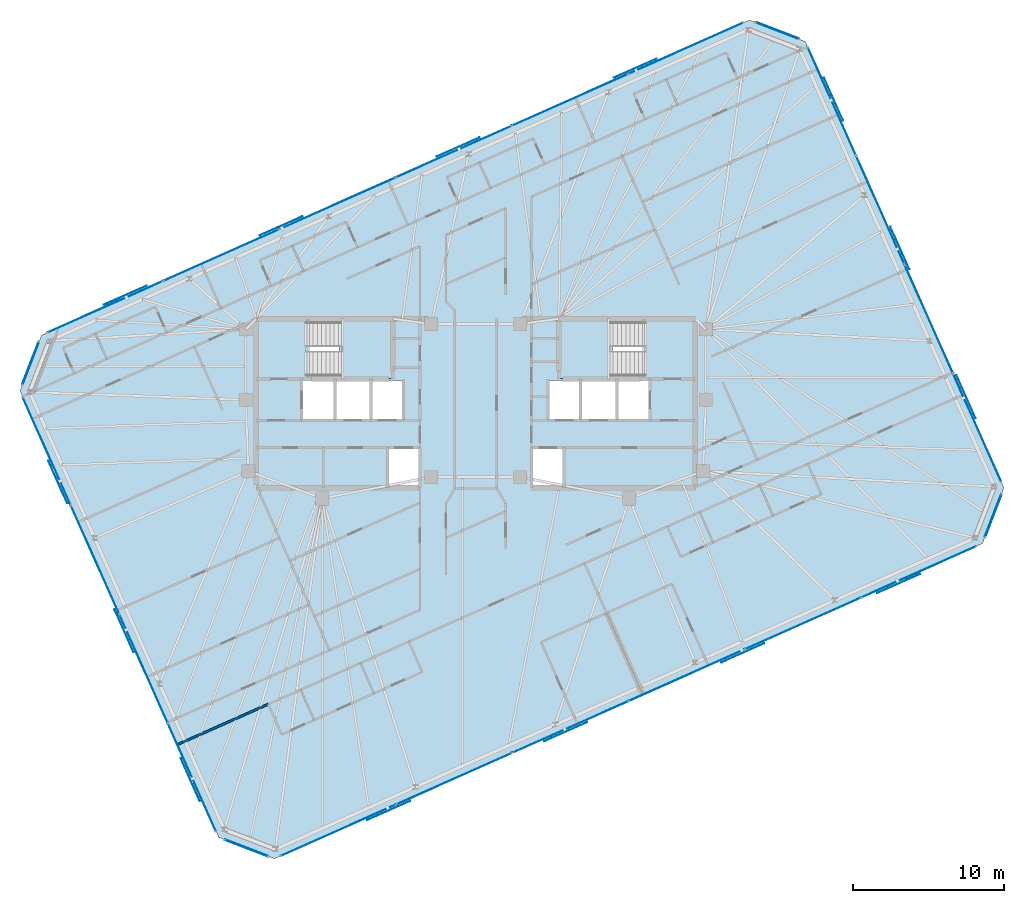
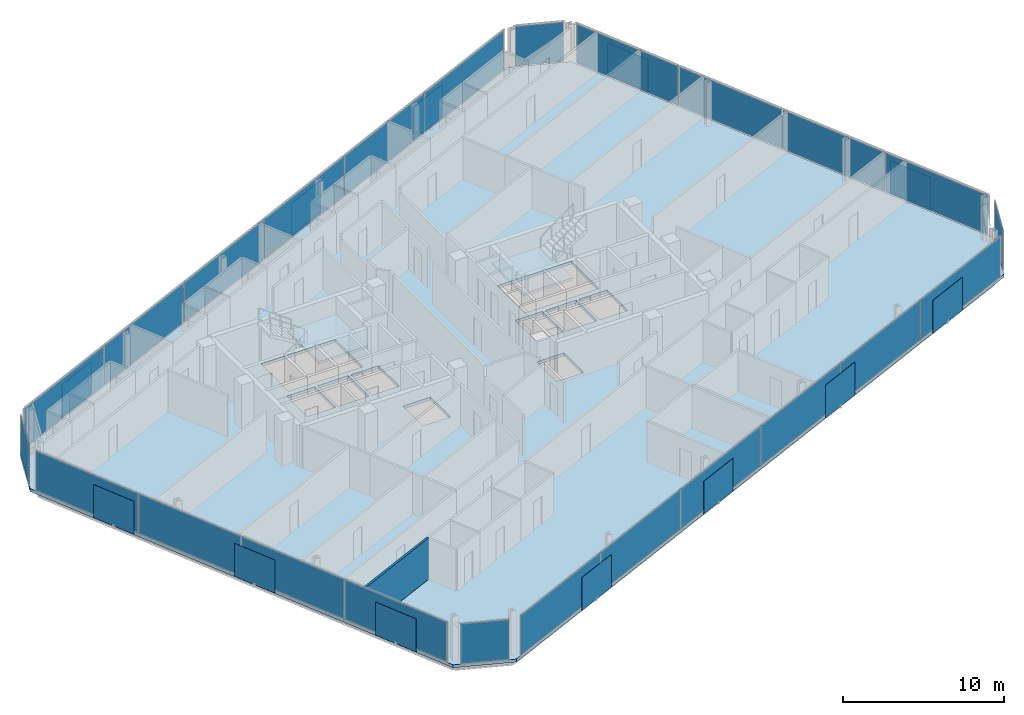
# One storey, part 12 of 19: 38 plates, 3 slabs, 1 wall, 10 elements without a shape of their own.
"""IFC4 building model written with IfcOpenShell, lengths in metres."""

from ifc_helpers import new_model, si_unit, direction, frame, frame_2d, origin, origin_2d, place, context, subcontext, project, spatial, polyline, rectangle, outline, extrude, material, layer, layer_set, type_object, element, aggregate, save


model = new_model("IFC4")

# Units and contexts
model_context = context("Model", 3, precision=1e-05, world=origin(), true_north=direction((0.0, 1.0)))
body_context = subcontext(model_context, "Body", "Model", "MODEL_VIEW")
ifc_project = project(units=[si_unit("LENGTHUNIT", "METRE"), si_unit("AREAUNIT", "SQUARE_METRE"), si_unit("VOLUMEUNIT", "CUBIC_METRE"), si_unit("PLANEANGLEUNIT", "RADIAN"), si_unit("MASSUNIT", "GRAM", prefix="KILO")], contexts=[model_context])

# Site, building, storey
site_placement = place(None, origin())
site = spatial("IfcSite", under=ifc_project, at=site_placement, CompositionType="ELEMENT")
building_placement = place(site_placement, origin())
building = spatial("IfcBuilding", under=site, at=building_placement, Name="Menara Jurai Vektor", CompositionType="ELEMENT")
storey_placement = place(building_placement, frame((0.0, 0.0, 265.550048828125)))
storey = spatial("IfcBuildingStorey", under=building, at=storey_placement, Name="L71", CompositionType="ELEMENT", Elevation=265.550048828125)

# Curtain wall, plates
ifc_material_1 = material(Name="Anodised Pale Aluminium & Low-E Double Glazing", Category="aluminium")
curtain_wall_type = type_object("IfcCurtainWallType", Name="CW-BLK5", PredefinedType="NOTDEFINED", material=ifc_material_1)
curtain_wall_1_placement = place(storey_placement, origin())
curtain_wall_1 = element("IfcCurtainWall", 1, at=curtain_wall_1_placement, inside=storey, type_object=curtain_wall_type, Name="Unitised Curtain Wall L71 F01", PredefinedType="NOTDEFINED")
ifc_material_2 = material(Name="Low-E Solar-Control Double Glazed Unit", Category="glass")
ifc_layer_1 = layer(ifc_material_2, 0.028076171875)
ifc_layer_set_1 = layer_set([ifc_layer_1], Name="Low-E Solar-Control Double Glazed Unit")
plate_type_1 = type_object("IfcPlateType", Name="CW-BLK5-PNL", PredefinedType="CURTAIN_PANEL", material=ifc_layer_set_1)
plate_1_placement = place(storey_placement, frame((-9.130615234375, -28.331787109375, 0.074951171875), z_axis=(0.0, 0.0, 1.0), x_axis=(0.913545967158, 0.406735498684, 0.0)))
plate_1 = element("IfcPlate", 2, at=plate_1_placement, type_object=plate_type_1, Name="CW-05 panel 1.1", PredefinedType="CURTAIN_PANEL", context=body_context, shape_type="SweptSolid", body=[
    extrude(rectangle(XDim=8.327392578125, YDim=0.028076171875, at=origin_2d()), origin(), (0.0, 0.0, 1.0), 2.97509765625),
])
plate_2_placement = place(storey_placement, frame((-1.4375, -24.90673828125, 0.074951171875), z_axis=(0.0, 0.0, 1.0), x_axis=(0.913545967158, 0.406735498684, 0.0)))
plate_2 = element("IfcPlate", 3, at=plate_2_placement, type_object=plate_type_1, Name="CW-05 panel 2.1", PredefinedType="CURTAIN_PANEL", context=body_context, shape_type="SweptSolid", body=[
    extrude(rectangle(XDim=8.364990234375, YDim=0.028076171875, at=origin_2d()), origin(), (0.0, 0.0, 1.0), 2.97509765625),
])
plate_3_placement = place(storey_placement, frame((6.27294921875, -21.473876953125, 0.074951171875), z_axis=(0.0, 0.0, 1.0), x_axis=(0.913545967158, 0.406735498684, 0.0)))
plate_3 = element("IfcPlate", 4, at=plate_3_placement, type_object=plate_type_1, Name="CW-05 panel 3.1", PredefinedType="CURTAIN_PANEL", context=body_context, shape_type="SweptSolid", body=[
    extrude(rectangle(XDim=8.364990234375, YDim=0.028076171875, at=origin_2d()), origin(), (0.0, 0.0, 1.0), 2.97509765625),
])
plate_4_placement = place(storey_placement, frame((13.983154296875, -18.041015625, 0.074951171875), z_axis=(0.0, 0.0, 1.0), x_axis=(0.913545967158, 0.406735498684, 0.0)))
plate_4 = element("IfcPlate", 5, at=plate_4_placement, type_object=plate_type_1, Name="CW-05 panel 4.1", PredefinedType="CURTAIN_PANEL", context=body_context, shape_type="SweptSolid", body=[
    extrude(rectangle(XDim=8.364990234375, YDim=0.028076171875, at=origin_2d()), origin(), (0.0, 0.0, 1.0), 2.97509765625),
])
plate_5_placement = place(storey_placement, frame((21.693603515625, -14.608154296875, 0.074951171875), z_axis=(0.0, 0.0, 1.0), x_axis=(0.913545967158, 0.406735498684, 0.0)))
plate_5 = element("IfcPlate", 6, at=plate_5_placement, type_object=plate_type_1, Name="CW-05 panel 5.1", PredefinedType="CURTAIN_PANEL", context=body_context, shape_type="SweptSolid", body=[
    extrude(rectangle(XDim=8.364990234375, YDim=0.028076171875, at=origin_2d()), origin(), (0.0, 0.0, 1.0), 2.97509765625),
])
plate_6_placement = place(storey_placement, frame((29.38671875, -11.182861328125, 0.074951171875), z_axis=(0.0, 0.0, 1.0), x_axis=(0.913545967158, 0.406735498684, 0.0)))
plate_6 = element("IfcPlate", 7, at=plate_6_placement, type_object=plate_type_1, Name="CW-05 panel 6.1", PredefinedType="CURTAIN_PANEL", context=body_context, shape_type="SweptSolid", body=[
    extrude(rectangle(XDim=8.327392578125, YDim=0.028076171875, at=origin_2d()), origin(), (0.0, 0.0, 1.0), 2.97509765625),
])
aggregate(curtain_wall_1, [plate_1, plate_2, plate_3, plate_4, plate_5, plate_6])

curtain_wall_2_placement = place(storey_placement, origin())
curtain_wall_2 = element("IfcCurtainWall", 8, at=curtain_wall_2_placement, inside=storey, type_object=curtain_wall_type, Name="Unitised Curtain Wall L71 F03", PredefinedType="NOTDEFINED")
plate_7_placement = place(storey_placement, frame((33.25439453125, -1.630126953125, 0.074951171875), z_axis=(0.0, 0.0, 1.0), x_axis=(-0.406735138086, 0.913546127706, 0.0)))
plate_7 = element("IfcPlate", 9, at=plate_7_placement, type_object=plate_type_1, Name="CW-05 panel 1.1", PredefinedType="CURTAIN_PANEL", context=body_context, shape_type="SweptSolid", body=[
    extrude(rectangle(XDim=7.797607421875, YDim=0.028076171875, at=origin_2d()), origin(), (0.0, 0.0, 1.0), 2.97509765625),
])
plate_8_placement = place(storey_placement, frame((30.044677734375, 5.578857421875, 0.074951171875), z_axis=(0.0, 0.0, 1.0), x_axis=(-0.406735138086, 0.913546127706, 0.0)))
plate_8 = element("IfcPlate", 10, at=plate_8_placement, type_object=plate_type_1, Name="CW-05 panel 2.1", PredefinedType="CURTAIN_PANEL", context=body_context, shape_type="SweptSolid", body=[
    extrude(rectangle(XDim=7.8349609375, YDim=0.028076171875, at=origin_2d()), origin(), (0.0, 0.0, 1.0), 2.97509765625),
])
plate_9_placement = place(storey_placement, frame((26.827392578125, 12.80517578125, 0.074951171875), z_axis=(0.0, 0.0, 1.0), x_axis=(-0.406735138086, 0.913546127706, 0.0)))
plate_9 = element("IfcPlate", 11, at=plate_9_placement, type_object=plate_type_1, Name="CW-05 panel 3.1", PredefinedType="CURTAIN_PANEL", context=body_context, shape_type="SweptSolid", body=[
    extrude(rectangle(XDim=7.8349609375, YDim=0.028076171875, at=origin_2d()), origin(), (0.0, 0.0, 1.0), 2.97509765625),
])
plate_10_placement = place(storey_placement, frame((23.61767578125, 20.01416015625, 0.074951171875), z_axis=(0.0, 0.0, 1.0), x_axis=(-0.406735138086, 0.913546127706, 0.0)))
plate_10 = element("IfcPlate", 12, at=plate_10_placement, type_object=plate_type_1, Name="CW-05 panel 4.1", PredefinedType="CURTAIN_PANEL", context=body_context, shape_type="SweptSolid", body=[
    extrude(rectangle(XDim=7.797607421875, YDim=0.028076171875, at=origin_2d()), origin(), (0.0, 0.0, 1.0), 2.97509765625),
])
aggregate(curtain_wall_2, [plate_7, plate_8, plate_9, plate_10])

curtain_wall_3_placement = place(storey_placement, origin())
curtain_wall_3 = element("IfcCurtainWall", 13, at=curtain_wall_3_placement, inside=storey, type_object=curtain_wall_type, Name="Unitised Curtain Wall L71 F05", PredefinedType="NOTDEFINED")
plate_11_placement = place(storey_placement, frame((13.9306640625, 23.53173828125, 0.074951171875), z_axis=(0.0, 0.0, 1.0), x_axis=(-0.913545967158, -0.406735498684, 0.0)))
plate_11 = element("IfcPlate", 14, at=plate_11_placement, type_object=plate_type_1, Name="CW-05 panel 1.1", PredefinedType="CURTAIN_PANEL", context=body_context, shape_type="SweptSolid", body=[
    extrude(rectangle(XDim=8.327392578125, YDim=0.028076171875, at=origin_2d()), origin(), (0.0, 0.0, 1.0), 2.97509765625),
])
plate_12_placement = place(storey_placement, frame((6.237548828125, 20.106689453125, 0.074951171875), z_axis=(0.0, 0.0, 1.0), x_axis=(-0.913545967158, -0.406735498684, 0.0)))
plate_12 = element("IfcPlate", 15, at=plate_12_placement, type_object=plate_type_1, Name="CW-05 panel 2.1", PredefinedType="CURTAIN_PANEL", context=body_context, shape_type="SweptSolid", body=[
    extrude(rectangle(XDim=8.364990234375, YDim=0.028076171875, at=origin_2d()), origin(), (0.0, 0.0, 1.0), 2.97509765625),
])
plate_13_placement = place(storey_placement, frame((-1.472900390625, 16.673828125, 0.074951171875), z_axis=(0.0, 0.0, 1.0), x_axis=(-0.913545967158, -0.406735498684, 0.0)))
plate_13 = element("IfcPlate", 16, at=plate_13_placement, type_object=plate_type_1, Name="CW-05 panel 3.1", PredefinedType="CURTAIN_PANEL", context=body_context, shape_type="SweptSolid", body=[
    extrude(rectangle(XDim=8.364990234375, YDim=0.028076171875, at=origin_2d()), origin(), (0.0, 0.0, 1.0), 2.97509765625),
])
plate_14_placement = place(storey_placement, frame((-9.18310546875, 13.240966796875, 0.074951171875), z_axis=(0.0, 0.0, 1.0), x_axis=(-0.913545967158, -0.406735498684, 0.0)))
plate_14 = element("IfcPlate", 17, at=plate_14_placement, type_object=plate_type_1, Name="CW-05 panel 4.1", PredefinedType="CURTAIN_PANEL", context=body_context, shape_type="SweptSolid", body=[
    extrude(rectangle(XDim=8.364990234375, YDim=0.028076171875, at=origin_2d()), origin(), (0.0, 0.0, 1.0), 2.97509765625),
])
plate_15_placement = place(storey_placement, frame((-16.8935546875, 9.80810546875, 0.074951171875), z_axis=(0.0, 0.0, 1.0), x_axis=(-0.913545967158, -0.406735498684, 0.0)))
plate_15 = element("IfcPlate", 18, at=plate_15_placement, type_object=plate_type_1, Name="CW-05 panel 5.1", PredefinedType="CURTAIN_PANEL", context=body_context, shape_type="SweptSolid", body=[
    extrude(rectangle(XDim=8.364990234375, YDim=0.028076171875, at=origin_2d()), origin(), (0.0, 0.0, 1.0), 2.97509765625),
])
plate_16_placement = place(storey_placement, frame((-24.586669921875, 6.3828125, 0.074951171875), z_axis=(0.0, 0.0, 1.0), x_axis=(-0.913545967158, -0.406735498684, 0.0)))
plate_16 = element("IfcPlate", 19, at=plate_16_placement, type_object=plate_type_1, Name="CW-05 panel 6.1", PredefinedType="CURTAIN_PANEL", context=body_context, shape_type="SweptSolid", body=[
    extrude(rectangle(XDim=8.327392578125, YDim=0.028076171875, at=origin_2d()), origin(), (0.0, 0.0, 1.0), 2.97509765625),
])
aggregate(curtain_wall_3, [plate_11, plate_12, plate_13, plate_14, plate_15, plate_16])

curtain_wall_4_placement = place(storey_placement, origin())
curtain_wall_4 = element("IfcCurtainWall", 20, at=curtain_wall_4_placement, inside=storey, type_object=curtain_wall_type, Name="Unitised Curtain Wall L71 F07", PredefinedType="NOTDEFINED")
plate_17_placement = place(storey_placement, frame((-28.454345703125, -3.169921875, 0.074951171875), z_axis=(0.0, 0.0, 1.0), x_axis=(0.406735138086, -0.913546127706, 0.0)))
plate_17 = element("IfcPlate", 21, at=plate_17_placement, type_object=plate_type_1, Name="CW-05 panel 1.1", PredefinedType="CURTAIN_PANEL", context=body_context, shape_type="SweptSolid", body=[
    extrude(rectangle(XDim=7.797607421875, YDim=0.028076171875, at=origin_2d()), origin(), (0.0, 0.0, 1.0), 2.97509765625),
])
plate_18_placement = place(storey_placement, frame((-25.24462890625, -10.37890625, 0.074951171875), z_axis=(0.0, 0.0, 1.0), x_axis=(0.406735138086, -0.913546127706, 0.0)))
plate_18 = element("IfcPlate", 22, at=plate_18_placement, type_object=plate_type_1, Name="CW-05 panel 2.1", PredefinedType="CURTAIN_PANEL", context=body_context, shape_type="SweptSolid", body=[
    extrude(rectangle(XDim=7.8349609375, YDim=0.028076171875, at=origin_2d()), origin(), (0.0, 0.0, 1.0), 2.97509765625),
])
plate_19_placement = place(storey_placement, frame((-22.02734375, -17.60498046875, 0.074951171875), z_axis=(0.0, 0.0, 1.0), x_axis=(0.406735138086, -0.913546127706, 0.0)))
plate_19 = element("IfcPlate", 23, at=plate_19_placement, type_object=plate_type_1, Name="CW-05 panel 3.1", PredefinedType="CURTAIN_PANEL", context=body_context, shape_type="SweptSolid", body=[
    extrude(rectangle(XDim=7.8349609375, YDim=0.028076171875, at=origin_2d()), origin(), (0.0, 0.0, 1.0), 2.97509765625),
])
plate_20_placement = place(storey_placement, frame((-18.81787109375, -24.814208984375, 0.074951171875), z_axis=(0.0, 0.0, 1.0), x_axis=(0.406735138086, -0.913546127706, 0.0)))
plate_20 = element("IfcPlate", 24, at=plate_20_placement, type_object=plate_type_1, Name="CW-05 panel 4.1", PredefinedType="CURTAIN_PANEL", context=body_context, shape_type="SweptSolid", body=[
    extrude(rectangle(XDim=7.797607421875, YDim=0.028076171875, at=origin_2d()), origin(), (0.0, 0.0, 1.0), 2.97509765625),
])
aggregate(curtain_wall_4, [plate_17, plate_18, plate_19, plate_20])

# Curtain wall, plate
curtain_wall_5_placement = place(storey_placement, origin())
curtain_wall_5 = element("IfcCurtainWall", 25, at=curtain_wall_5_placement, inside=storey, type_object=curtain_wall_type, Name="Unitised Curtain Wall L71 F02", PredefinedType="NOTDEFINED")
ifc_material_3 = material(Name="Insulated Pale Aluminium Spandrel Panel", Category="aluminium")
ifc_layer_2 = layer(ifc_material_3, 0.06005859375)
ifc_layer_set_2 = layer_set([ifc_layer_2], Name="Insulated Pale Aluminium Spandrel Panel")
plate_type_2 = type_object("IfcPlateType", Name="CW-PNL-SP", PredefinedType="CURTAIN_PANEL", material=ifc_layer_set_2)
plate_21_placement = place(storey_placement, frame((34.315673828125, -7.455810546875, 0.074951171875), z_axis=(0.0, 0.0, 1.0), x_axis=(0.358373766287, 0.933578193639, 0.0)))
plate_21 = element("IfcPlate", 26, at=plate_21_placement, type_object=plate_type_2, Name="CW-05 panel 1.1", PredefinedType="CURTAIN_PANEL", context=body_context, shape_type="SweptSolid", body=[
    extrude(rectangle(XDim=3.0498046875, YDim=0.06005859375, at=origin_2d()), origin(), (0.0, 0.0, 1.0), 2.97509765625),
])
aggregate(curtain_wall_5, [plate_21])

curtain_wall_6_placement = place(storey_placement, origin())
curtain_wall_6 = element("IfcCurtainWall", 27, at=curtain_wall_6_placement, inside=storey, type_object=curtain_wall_type, Name="Unitised Curtain Wall L71 F04", PredefinedType="NOTDEFINED")
plate_22_placement = place(storey_placement, frame((19.99853515625, 24.700927734375, 0.074951171875), z_axis=(0.0, 0.0, 1.0), x_axis=(-0.933578193639, 0.358373766287, 0.0)))
plate_22 = element("IfcPlate", 28, at=plate_22_placement, type_object=plate_type_2, Name="CW-05 panel 1.1", PredefinedType="CURTAIN_PANEL", context=body_context, shape_type="SweptSolid", body=[
    extrude(rectangle(XDim=3.0498046875, YDim=0.06005859375, at=origin_2d()), origin(), (0.0, 0.0, 1.0), 2.97509765625),
])
aggregate(curtain_wall_6, [plate_22])

curtain_wall_7_placement = place(storey_placement, origin())
curtain_wall_7 = element("IfcCurtainWall", 29, at=curtain_wall_7_placement, inside=storey, type_object=curtain_wall_type, Name="Unitised Curtain Wall L71 F06", PredefinedType="NOTDEFINED")
plate_23_placement = place(storey_placement, frame((-29.515625, 2.65576171875, 0.074951171875), z_axis=(0.0, 0.0, 1.0), x_axis=(-0.358373766287, -0.933578193639, 0.0)))
plate_23 = element("IfcPlate", 30, at=plate_23_placement, type_object=plate_type_2, Name="CW-05 panel 1.1", PredefinedType="CURTAIN_PANEL", context=body_context, shape_type="SweptSolid", body=[
    extrude(rectangle(XDim=3.0498046875, YDim=0.06005859375, at=origin_2d()), origin(), (0.0, 0.0, 1.0), 2.97509765625),
])
aggregate(curtain_wall_7, [plate_23])

curtain_wall_8_placement = place(storey_placement, origin())
curtain_wall_8 = element("IfcCurtainWall", 31, at=curtain_wall_8_placement, inside=storey, type_object=curtain_wall_type, Name="Unitised Curtain Wall L71 F08", PredefinedType="NOTDEFINED")
plate_24_placement = place(storey_placement, frame((-15.198486328125, -29.5009765625, 0.074951171875), z_axis=(0.0, 0.0, 1.0), x_axis=(0.933578193639, -0.358373766287, 0.0)))
plate_24 = element("IfcPlate", 32, at=plate_24_placement, type_object=plate_type_2, Name="CW-05 panel 1.1", PredefinedType="CURTAIN_PANEL", context=body_context, shape_type="SweptSolid", body=[
    extrude(rectangle(XDim=3.0498046875, YDim=0.06005859375, at=origin_2d()), origin(), (0.0, 0.0, 1.0), 2.97509765625),
])
aggregate(curtain_wall_8, [plate_24])

# Plates
ifc_material_4 = material(Name="Anodised Pale Aluminium Perforated Screen", Category="aluminium")
ifc_layer_3 = layer(ifc_material_4, 0.02197265625)
ifc_layer_set_3 = layer_set([ifc_layer_3], Name="Anodised Pale Aluminium Perforated Screen")
plate_type_3 = type_object("IfcPlateType", Name="ENV-PLT-SCREEN-HI", PredefinedType="USERDEFINED", material=ifc_layer_set_3)
for number, where, z_axis, x_axis, name in (
    (33, (-5.77197265625, -27.01171875, -0.050048828125), (0.0, 0.0, 1.0), (0.913545457643, 0.406736643076, 0.0), "Perforated Pale-Metal Solar Screen L71-S01"),
    (34, (5.967041015625, -21.78515625, -0.050048828125), (0.0, 0.0, 1.0), (0.913545457643, 0.406736643076, 0.0), "Perforated Pale-Metal Solar Screen L71-S02"),
    (35, (17.7060546875, -16.55859375, -0.050048828125), (0.0, 0.0, 1.0), (0.913545457643, 0.406736643076, 0.0), "Perforated Pale-Metal Solar Screen L71-S03"),
    (36, (28.036376953125, -11.958984375, -0.050048828125), (0.0, 0.0, 1.0), (0.913545457643, 0.406736643076, 0.0), "Perforated Pale-Metal Solar Screen L71-S04"),
    (37, (32.513671875, 0.4267578125, -0.050048828125), (0.0, 0.0, 1.0), (-0.406736643076, 0.913545457643, 0.0), "Perforated Pale-Metal Solar Screen L71-S05"),
    (38, (28.12109375, 10.29296875, -0.050048828125), (0.0, 0.0, 1.0), (-0.406736643076, 0.913545457643, 0.0), "Perforated Pale-Metal Solar Screen L71-S06"),
    (39, (23.728271484375, 20.1591796875, -0.050048828125), (0.0, 0.0, 1.0), (-0.406736643076, 0.913545457643, 0.0), "Perforated Pale-Metal Solar Screen L71-S07"),
    (40, (10.572021484375, 22.211669921875, -0.050048828125), (0.0, 0.0, 1.0), (-0.913545457643, -0.406736643076, 0.0), "Perforated Pale-Metal Solar Screen L71-S08"),
    (41, (-1.1669921875, 16.985107421875, -0.050048828125), (0.0, 0.0, 1.0), (-0.913545457643, -0.406736643076, 0.0), "Perforated Pale-Metal Solar Screen L71-S09"),
    (42, (-12.906005859375, 11.758544921875, -0.050048828125), (0.0, 0.0, 1.0), (-0.913545457643, -0.406736643076, 0.0), "Perforated Pale-Metal Solar Screen L71-S10"),
    (43, (-23.236328125, 7.1591796875, -0.050048828125), (0.0, 0.0, 1.0), (-0.913545457643, -0.406736643076, 0.0), "Perforated Pale-Metal Solar Screen L71-S11"),
    (44, (-27.713623046875, -5.226806640625, -0.050048828125), (0.0, 0.0, 1.0), (0.406736643076, -0.913545457643, 0.0), "Perforated Pale-Metal Solar Screen L71-S12"),
    (45, (-23.321044921875, -15.093017578125, -0.050048828125), (0.0, 0.0, 1.0), (0.406736643076, -0.913545457643, 0.0), "Perforated Pale-Metal Solar Screen L71-S13"),
    (46, (-18.92822265625, -24.959228515625, -0.050048828125), (0.0, 0.0, 1.0), (0.406736643076, -0.913545457643, 0.0), "Perforated Pale-Metal Solar Screen L71-S14"),
):
    element("IfcPlate", number, at=place(storey_placement, frame(where, z_axis=z_axis, x_axis=x_axis)), inside=storey, type_object=plate_type_3, Name=name, ObjectType="SCREEN", PredefinedType="USERDEFINED", context=body_context, shape_type="SweptSolid", body=[
        extrude(rectangle(XDim=3.10009765625, YDim=0.02197265625, at=origin_2d()), origin(), (0.0, 0.0, 1.0), 2.5),
    ])

# Stair, slab
ifc_material_5 = material(Name="Concrete C40/50", Category="concrete")
stair_type = type_object("IfcStairType", Name="STAIR-DOGLEG-1500", PredefinedType="HALF_TURN_STAIR", material=ifc_material_5)
stair_1_placement = place(storey_placement, origin())
stair_1 = element("IfcStair", 47, at=stair_1_placement, inside=storey, type_object=stair_type, Name="Protected Exit Stair ST1 L71", PredefinedType="HALF_TURN_STAIR")
ifc_layer_4 = layer(ifc_material_5, 0.199951171875)
ifc_layer_set_4 = layer_set([ifc_layer_4], Name="Concrete C40/50")
slab_type_1 = type_object("IfcSlabType", Name="STAIR-LANDING-200", PredefinedType="LANDING", material=ifc_layer_set_4)
slab_1_placement = place(storey_placement, frame((0.0, 0.0, 1.474853515625)))
slab_1 = element("IfcSlab", 48, at=slab_1_placement, type_object=slab_type_1, Name="ST1 landing 1", PredefinedType="LANDING", context=body_context, shape_type="SweptSolid", body=[
    extrude(outline(polyline([(-9.080078125, 1.64990234375), (-5.550048828125, 1.64990234375), (-5.550048828125, 5.550048828125), (-9.080078125, 5.550048828125), (-9.080078125, 1.64990234375)])), origin(), (0.0, 0.0, 1.0), 0.2001953125),
])
aggregate(stair_1, [slab_1])

stair_2_placement = place(storey_placement, origin())
stair_2 = element("IfcStair", 49, at=stair_2_placement, inside=storey, type_object=stair_type, Name="Protected Exit Stair ST2 L71", PredefinedType="HALF_TURN_STAIR")
slab_2_placement = place(storey_placement, frame((0.0, 0.0, 1.474853515625)))
slab_2 = element("IfcSlab", 50, at=slab_2_placement, type_object=slab_type_1, Name="ST2 landing 1", PredefinedType="LANDING", context=body_context, shape_type="SweptSolid", body=[
    extrude(outline(polyline([(5.550048828125, 1.64990234375), (9.080078125, 1.64990234375), (9.080078125, 5.550048828125), (5.550048828125, 5.550048828125), (5.550048828125, 1.64990234375)])), origin(), (0.0, 0.0, 1.0), 0.2001953125),
])
aggregate(stair_2, [slab_2])

# Slab
ifc_layer_5 = layer(ifc_material_5, 0.22509765625)
ifc_layer_set_5 = layer_set([ifc_layer_5], Name="Concrete C40/50")
slab_type_2 = type_object("IfcSlabType", Name="STR-SLAB-TYP200", PredefinedType="FLOOR", material=ifc_layer_set_5)
slab_3_placement = place(storey_placement, frame((0.0, 0.0, -0.22509765625)))
element("IfcSlab", 51, at=slab_3_placement, inside=storey, type_object=slab_type_2, Name="Composite Floor Slab L71", PredefinedType="FLOOR", context=body_context, shape_type="SweptSolid", body=[
    extrude(outline(polyline([(-13.35009765625, -30.21044921875), (33.606201171875, -9.30419921875), (35.025146484375, -5.607421875), (21.846923828125, 23.991455078125), (18.150146484375, 25.410400390625), (-28.80615234375, 4.504150390625), (-30.22509765625, 0.807373046875), (-17.046875, -28.79150390625), (-13.35009765625, -30.21044921875)]), holes=[polyline([(-11.10009765625, 1.89990234375), (-11.10009765625, 5.300048828125), (-5.800048828125, 5.300048828125), (-5.800048828125, 1.89990234375), (-11.10009765625, 1.89990234375)]), polyline([(5.800048828125, 1.89990234375), (5.800048828125, 5.300048828125), (11.10009765625, 5.300048828125), (11.10009765625, 1.89990234375), (5.800048828125, 1.89990234375)]), polyline([(-11.449951171875, -1.050048828125), (-11.449951171875, 1.5), (-9.449951171875, 1.5), (-9.449951171875, -1.050048828125), (-11.449951171875, -1.050048828125)]), polyline([(9.449951171875, -1.050048828125), (9.449951171875, 1.5), (11.449951171875, 1.5), (11.449951171875, -1.050048828125), (9.449951171875, -1.050048828125)]), polyline([(-5.760009765625, -5.5), (-5.760009765625, -3.050048828125), (-3.800048828125, -3.050048828125), (-3.800048828125, -5.5), (-5.760009765625, -5.5)]), polyline([(-6.85009765625, -1.050048828125), (-6.85009765625, 1.5), (-4.889892578125, 1.5), (-4.889892578125, -1.050048828125), (-6.85009765625, -1.050048828125)]), polyline([(3.800048828125, -5.5), (3.800048828125, -3.050048828125), (5.760009765625, -3.050048828125), (5.760009765625, -5.5), (3.800048828125, -5.5)]), polyline([(4.889892578125, -1.050048828125), (4.889892578125, 1.5), (6.85009765625, 1.5), (6.85009765625, -1.050048828125), (4.889892578125, -1.050048828125)]), polyline([(-9.25, -1.050048828125), (-9.25, 1.5), (-7.050048828125, 1.5), (-7.050048828125, -1.050048828125), (-9.25, -1.050048828125)]), polyline([(7.050048828125, -1.050048828125), (7.050048828125, 1.5), (9.25, 1.5), (9.25, -1.050048828125), (7.050048828125, -1.050048828125)])]), origin(), (0.0, 0.0, 1.0), 0.22509765625),
])

# Wall
ifc_material_6 = material(Name="Gypsum Fireboard Partition", Category="gypsum")
ifc_layer_6 = layer(ifc_material_6, 0.14990234375)
ifc_layer_set_6 = layer_set([ifc_layer_6], Name="Gypsum Fireboard Partition")
wall_type = type_object("IfcWallType", Name="INT-WALL-CORR-150", PredefinedType="PARTITIONING", material=ifc_layer_set_6)
wall_placement = place(storey_placement, frame((-19.786376953125, -22.638671875, 0.0), z_axis=(0.0, 0.0, 1.0), x_axis=(0.913548717067, 0.406729322211, 0.0)))
element("IfcWall", 52, at=wall_placement, inside=storey, type_object=wall_type, Name="Interior Wall IW-150 L71", PredefinedType="PARTITIONING", context=body_context, shape_type="SweptSolid", body=[
    extrude(rectangle(XDim=6.59326171875, YDim=0.14990234375, at=frame_2d((3.296630859375, 0.0))), origin(), (0.0, 0.0, 1.0), 3.125),
])

save(model, "model.ifc")
